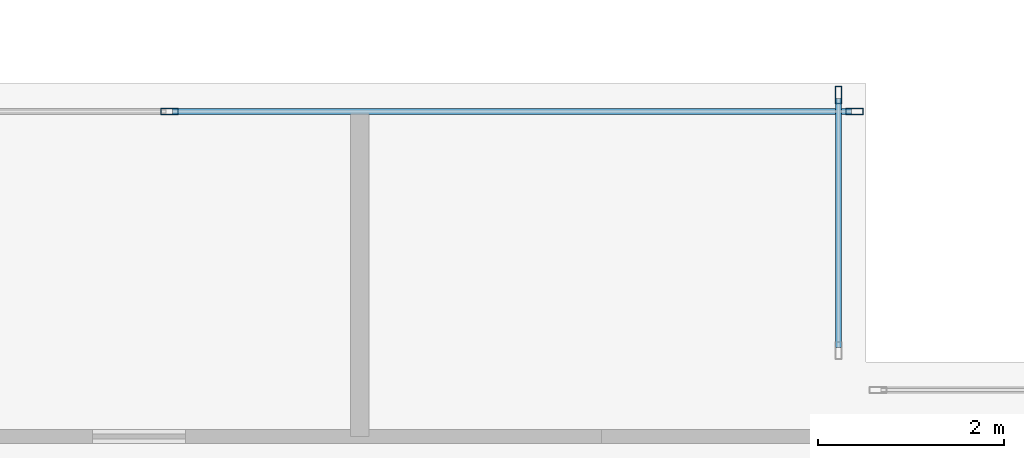
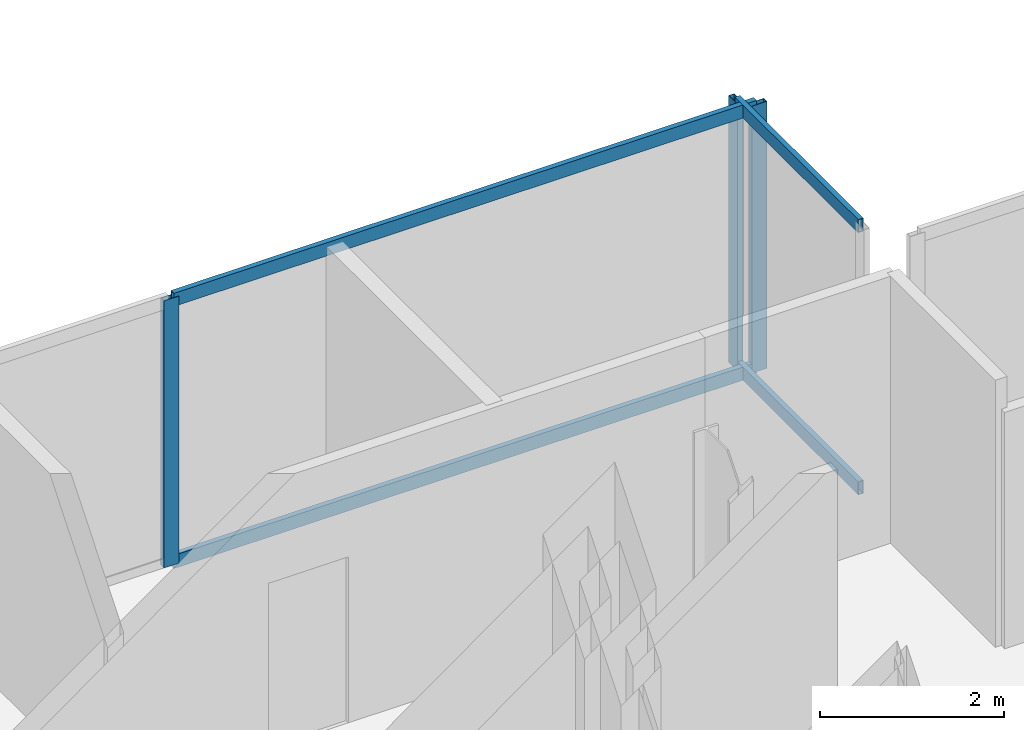
# One storey, part 13 of 25: 7 members, 2 elements without a shape of their own.
"""IFC4 building model written with IfcOpenShell, lengths in metres."""

import ifcopenshell
import ifcopenshell.guid

model = None  # the IFC model being written
_history = None  # IfcOwnerHistory: only IFC2X3 demands one
_inside = {}  # id of a spatial element -> (the spatial element, [elements in it])
_under = {}  # id of a project, library or spatial element -> (it, [spatial elements below it])
_declared = {}  # id of a project -> (the project, [libraries it declares])
_typed = {}  # id of a type object -> (the type object, [elements of that type])
_made_of = {}  # id of a material, layer set ... -> (it, [elements and type objects made of it])


def new_model(schema):
    """Start an empty IFC model of exactly this schema.

    Asked for "IFC4X3", IfcOpenShell would pick the latest addendum, in which some entities
    have other attributes; the version numbers below select the first issue.
    IFC2X3 requires an IfcOwnerHistory on every rooted entity: one is made here for all.
    """
    global model, _history
    if schema == "IFC4X3":
        model = ifcopenshell.file(schema_version=(4, 3, 0, 0))
    else:
        model = ifcopenshell.file(schema=schema)
    _inside.clear()
    _under.clear()
    _declared.clear()
    _typed.clear()
    _made_of.clear()
    _history = None
    if model.schema == "IFC2X3":
        org = make("IfcOrganization", Name="unknown")
        user = make(
            "IfcPersonAndOrganization",
            ThePerson=make("IfcPerson", FamilyName="unknown"),
            TheOrganization=org,
        )
        app = make(
            "IfcApplication",
            ApplicationDeveloper=org,
            Version="unknown",
            ApplicationFullName="unknown",
            ApplicationIdentifier="unknown",
        )
        _history = make(
            "IfcOwnerHistory",
            OwningUser=user,
            OwningApplication=app,
            ChangeAction="ADDED",
            CreationDate=0,
        )
    return model


def make(cls, **values):
    """One entity of the class cls with the attributes given. An attribute that is None is left unset."""
    return model.create_entity(
        cls, **{name: value for name, value in values.items() if value is not None}
    )


def rooted(cls, **values):
    """An entity with a GlobalId (a new one), such as an element, a storey or a relation."""
    return make(cls, GlobalId=ifcopenshell.guid.new(), OwnerHistory=_history, **values)


def si_unit(unit_type, name, prefix=None):
    """IfcSIUnit, for example si_unit("LENGTHUNIT", "METRE", prefix="MILLI")."""
    return make("IfcSIUnit", UnitType=unit_type, Prefix=prefix, Name=name)


def assignment(units):
    """IfcUnitAssignment: the units of a project."""
    return None if units is None else make("IfcUnitAssignment", Units=units)


def point(xyz):
    """IfcCartesianPoint."""
    return None if xyz is None else make("IfcCartesianPoint", Coordinates=xyz)


def direction(xyz):
    """IfcDirection."""
    return None if xyz is None else make("IfcDirection", DirectionRatios=xyz)


def frame(location, z_axis=None, x_axis=None):
    """IfcAxis2Placement3D, a coordinate frame: its origin and axes. An axis left out is left unset."""
    return make(
        "IfcAxis2Placement3D",
        Location=point(location),
        Axis=direction(z_axis),
        RefDirection=direction(x_axis),
    )


def frame_2d(location, x_axis=None):
    """IfcAxis2Placement2D, a coordinate frame in the plane: its origin and x axis."""
    return make(
        "IfcAxis2Placement2D", Location=point(location), RefDirection=direction(x_axis)
    )


def origin():
    """The frame at (0, 0, 0) with its axes left unset."""
    return frame((0.0, 0.0, 0.0))


def origin_2d():
    """The frame at (0, 0) in the plane with its x axis left unset."""
    return frame_2d((0.0, 0.0))


def place(relative_to, where):
    """IfcLocalPlacement: puts the frame where relative to a parent placement (None: the world)."""
    return make(
        "IfcLocalPlacement", PlacementRelTo=relative_to, RelativePlacement=where
    )


def context(
    kind, dimensions, precision=None, world=None, true_north=None, identifier=None
):
    """IfcGeometricRepresentationContext, for example the 3D "Model" context."""
    return make(
        "IfcGeometricRepresentationContext",
        ContextIdentifier=identifier,
        ContextType=kind,
        CoordinateSpaceDimension=dimensions,
        Precision=precision,
        WorldCoordinateSystem=world,
        TrueNorth=true_north,
    )


def subcontext(parent, identifier, kind, view, scale=None):
    """IfcGeometricRepresentationSubContext, for example "Body" below "Model"."""
    return make(
        "IfcGeometricRepresentationSubContext",
        ContextIdentifier=identifier,
        ContextType=kind,
        ParentContext=parent,
        TargetScale=scale,
        TargetView=view,
    )


def project(units=None, contexts=None):
    """IfcProject with its units and contexts."""
    return rooted(
        "IfcProject",
        Name="project",
        RepresentationContexts=contexts,
        UnitsInContext=assignment(units),
    )


def spatial(cls, under=None, at=None, **own):
    """A site, building, storey or space (cls), placed at a placement, below another one or the project."""
    s = rooted(cls, ObjectPlacement=at, **own)
    if under is not None:
        _under.setdefault(under.id(), (under, []))[1].append(s)
    return s


def profile(cls, at=None, kind="AREA", **sizes):
    """A parametric profile (cls). Its sizes go by their IFC names, for example OverallWidth=200.0."""
    return make(cls, ProfileType=kind, Position=at, **sizes)


def hollow_rectangle(**sizes):
    """IfcRectangleHollowProfileDef."""
    return profile("IfcRectangleHollowProfileDef", **sizes)


def extrude(swept, where, along, depth):
    """IfcExtrudedAreaSolid: the profile swept, set in the frame where, extruded along a direction by depth."""
    return make(
        "IfcExtrudedAreaSolid",
        SweptArea=swept,
        Position=where,
        ExtrudedDirection=direction(along),
        Depth=depth,
    )


def shape(context_of_items, identifier, shape_type, items):
    """IfcShapeRepresentation: the items that make up one representation, for example the "Body"."""
    return make(
        "IfcShapeRepresentation",
        ContextOfItems=context_of_items,
        RepresentationIdentifier=identifier,
        RepresentationType=shape_type,
        Items=items,
    )


def material(Name=None, Category=None):
    """IfcMaterial."""
    return make("IfcMaterial", Name=Name, Category=Category)


def layer(
    of_material, thickness, ventilated=None, Name=None, Category=None, Priority=None
):
    """IfcMaterialLayer: one layer of a wall or slab, of a material (None: an air gap)."""
    return make(
        "IfcMaterialLayer",
        Material=of_material,
        LayerThickness=thickness,
        IsVentilated=ventilated,
        Name=Name,
        Category=Category,
        Priority=Priority,
    )


def layer_set(layers, Name=None):
    """IfcMaterialLayerSet."""
    return make("IfcMaterialLayerSet", MaterialLayers=layers, LayerSetName=Name)


def material_profile(
    of_material, cross_section, Name=None, Category=None, Priority=None
):
    """IfcMaterialProfile: a cross section and its material."""
    return make(
        "IfcMaterialProfile",
        Name=Name,
        Material=of_material,
        Profile=cross_section,
        Priority=Priority,
        Category=Category,
    )


def profile_set(profiles, Name=None, composite=None):
    """IfcMaterialProfileSet."""
    return make(
        "IfcMaterialProfileSet",
        Name=Name,
        MaterialProfiles=profiles,
        CompositeProfile=composite,
    )


def made_of(thing, what):
    """Note that an element or type object is made of a material, layer set ...; save() writes the relation."""
    if what is not None:
        _made_of.setdefault(what.id(), (what, []))[1].append(thing)
    return thing


def type_object(cls, material=None, **own):
    """A type object (cls), such as IfcWallType, which elements share."""
    return made_of(rooted(cls, **own), material)


def element(
    cls,
    number,
    at=None,
    inside=None,
    cuts=None,
    type_object=None,
    material=None,
    context=None,
    identifier="Body",
    shape_type=None,
    held_by="IfcProductDefinitionShape",
    body=None,
    shapes=None,
    **own,
):
    """One element of the class cls, such as IfcWall. Its Tag is "e" and its number.

    at: its placement. inside: the storey or other place that contains it. cuts: it is an
    opening in that element (IfcRelVoidsElement). A single representation is given by context,
    identifier, shape_type and body (its items); several are given by shapes. held_by: the class
    of the entity that holds the representations. save() writes the other relations.
    """
    e = rooted(cls, Tag="e%d" % number, ObjectPlacement=at, **own)
    if body is not None:
        shapes = [shape(context, identifier, shape_type, body)]
    if shapes is not None:
        e.Representation = make(held_by, Representations=shapes)
    if inside is not None:
        _inside.setdefault(inside.id(), (inside, []))[1].append(e)
    if cuts is not None:
        rooted(
            "IfcRelVoidsElement", RelatingBuildingElement=cuts, RelatedOpeningElement=e
        )
    if type_object is not None:
        _typed.setdefault(type_object.id(), (type_object, []))[1].append(e)
    return made_of(e, material)


def aggregate(whole, parts):
    """IfcRelAggregates: a whole, such as a stair, and the parts it consists of."""
    return rooted("IfcRelAggregates", RelatingObject=whole, RelatedObjects=parts)


def save(model, path):
    """Write the relations noted so far, then the file.

    IfcRelAggregates (storeys below a building ...), IfcRelContainedInSpatialStructure (elements
    in a storey), IfcRelDefinesByType, IfcRelAssociatesMaterial and IfcRelDeclares: one each for
    every whole, place, type object, material and project.
    """
    for whole, parts in _under.values():
        aggregate(whole, parts)
    for where, things in _inside.values():
        rooted(
            "IfcRelContainedInSpatialStructure",
            RelatedElements=things,
            RelatingStructure=where,
        )
    for kind, things in _typed.values():
        rooted("IfcRelDefinesByType", RelatedObjects=things, RelatingType=kind)
    for what, things in _made_of.values():
        rooted("IfcRelAssociatesMaterial", RelatedObjects=things, RelatingMaterial=what)
    for by, libraries in _declared.values():
        rooted("IfcRelDeclares", RelatingContext=by, RelatedDefinitions=libraries)
    model.write(path)


model = new_model("IFC4")

# Units and contexts
model_context = context("Model", 3, precision=1e-05, world=origin(), true_north=direction((0.0, 1.0)))
body_context = subcontext(model_context, "Body", "Model", "MODEL_VIEW")
ifc_project = project(units=[si_unit("LENGTHUNIT", "METRE"), si_unit("AREAUNIT", "SQUARE_METRE"), si_unit("VOLUMEUNIT", "CUBIC_METRE"), si_unit("PLANEANGLEUNIT", "RADIAN"), si_unit("MASSUNIT", "GRAM", prefix="KILO"), si_unit("THERMODYNAMICTEMPERATUREUNIT", "KELVIN"), si_unit("POWERUNIT", "WATT")], contexts=[model_context])

# Site, building, storey
site_placement = place(None, origin())
site = spatial("IfcSite", under=ifc_project, at=site_placement, CompositionType="ELEMENT")
building_placement = place(site_placement, origin())
building = spatial("IfcBuilding", under=site, at=building_placement, Name="Svarakhadi Broadcast Tower", CompositionType="ELEMENT")
storey_placement = place(building_placement, frame((0.0, 0.0, 227.39990234375)))
storey = spatial("IfcBuildingStorey", under=building, at=storey_placement, Name="L56", CompositionType="ELEMENT", Elevation=227.39990234375)

# Curtain wall, members
ifc_material = material(Name="Anodised Bronze Aluminium AA 6063-T6", Category="aluminium")
ifc_layer = layer(ifc_material, 0.18994140625)
ifc_layer_set = layer_set([ifc_layer], Name="Anodised Bronze Aluminium AA 6063-T6")
curtain_wall_type = type_object("IfcCurtainWallType", Name="CW_Sys_04", PredefinedType="NOTDEFINED", material=ifc_layer_set)
curtain_wall_1_placement = place(storey_placement, origin())
curtain_wall_1 = element("IfcCurtainWall", 1, at=curtain_wall_1_placement, inside=storey, type_object=curtain_wall_type, Name="L56 Unitised Facade Curtain Wall 10", PredefinedType="NOTDEFINED")
ifc_material_profile_1 = material_profile(ifc_material, hollow_rectangle(XDim=0.070068359375, YDim=0.18994140625, WallThickness=0.005615234375, at=origin_2d()), Name="ALU MULLION 190x70x6")
ifc_profile_set_1 = profile_set([ifc_material_profile_1], Name="Anodised Bronze Aluminium AA 6063-T6")
member_type_1 = type_object("IfcMemberType", Name="CW_Sys_04_Mul", PredefinedType="MULLION", material=ifc_profile_set_1)
member_1_placement = place(storey_placement, frame((31.5, 23.699951171875, 0.0), z_axis=(0.0, 0.0, 1.0), x_axis=(0.0, 1.0, 0.0)))
member_1 = element("IfcMember", 2, at=member_1_placement, type_object=member_type_1, Name="CW-04 mullion 2", PredefinedType="MULLION", context=body_context, shape_type="SweptSolid", body=[
    extrude(hollow_rectangle(XDim=0.070068359375, YDim=0.18994140625, WallThickness=0.005615234375, at=origin_2d()), origin(), (0.0, 0.0, 1.0), 3.5400390625),
])
member_2_placement = place(storey_placement, frame((38.875, 23.699951171875, 0.0), z_axis=(0.0, 0.0, 1.0), x_axis=(0.0, 1.0, 0.0)))
member_2 = element("IfcMember", 3, at=member_2_placement, type_object=member_type_1, Name="CW-04 mullion 3", PredefinedType="MULLION", context=body_context, shape_type="SweptSolid", body=[
    extrude(hollow_rectangle(XDim=0.070068359375, YDim=0.18994140625, WallThickness=0.005615234375, at=origin_2d()), origin(), (0.0, 0.0, 1.0), 3.5400390625),
])

# Curtain wall, member
curtain_wall_2_placement = place(storey_placement, origin())
curtain_wall_2 = element("IfcCurtainWall", 4, at=curtain_wall_2_placement, inside=storey, type_object=curtain_wall_type, Name="L56 Unitised Facade Curtain Wall 11", PredefinedType="NOTDEFINED")
member_3_placement = place(storey_placement, frame((38.699951171875, 23.875, 0.0), z_axis=(0.0, 0.0, 1.0), x_axis=(1.0, 0.0, 0.0)))
member_3 = element("IfcMember", 5, at=member_3_placement, type_object=member_type_1, Name="CW-04 mullion 1", PredefinedType="MULLION", context=body_context, shape_type="SweptSolid", body=[
    extrude(hollow_rectangle(XDim=0.070068359375, YDim=0.18994140625, WallThickness=0.005615234375, at=origin_2d()), origin(), (0.0, 0.0, 1.0), 3.5400390625),
])

# Member
ifc_material_profile_2 = material_profile(ifc_material, hollow_rectangle(XDim=0.06494140625, YDim=0.175048828125, WallThickness=0.0048828125, at=origin_2d()), Name="ALU TRANSOM 175x65x5")
ifc_profile_set_2 = profile_set([ifc_material_profile_2], Name="Anodised Bronze Aluminium AA 6063-T6")
member_type_2 = type_object("IfcMemberType", Name="CW_Sys_04_Trn", PredefinedType="USERDEFINED", material=ifc_profile_set_2)
member_4_placement = place(storey_placement, frame((31.534912109375, 23.699951171875, 0.03271484375), z_axis=(1.0, 0.0, 0.0), x_axis=(0.0, 1.0, 0.0)))
member_4 = element("IfcMember", 6, at=member_4_placement, type_object=member_type_2, Name="CW-04 transom 2.1", ObjectType="TRANSOM", PredefinedType="USERDEFINED", context=body_context, shape_type="SweptSolid", body=[
    extrude(hollow_rectangle(XDim=0.06494140625, YDim=0.175048828125, WallThickness=0.0048828125, at=origin_2d()), origin(), (0.0, 0.0, 1.0), 7.30517578125),
])

member_5_placement = place(storey_placement, frame((31.534912109375, 23.699951171875, 3.507568359375), z_axis=(1.0, 0.0, 0.0), x_axis=(0.0, 1.0, 0.0)))
member_5 = element("IfcMember", 7, at=member_5_placement, type_object=member_type_2, Name="CW-04 transom 2.2", ObjectType="TRANSOM", PredefinedType="USERDEFINED", context=body_context, shape_type="SweptSolid", body=[
    extrude(hollow_rectangle(XDim=0.06494140625, YDim=0.175048828125, WallThickness=0.0048828125, at=origin_2d()), origin(), (0.0, 0.0, 1.0), 7.30517578125),
])

aggregate(curtain_wall_1, [member_1, member_2, member_4, member_5])

member_6_placement = place(storey_placement, frame((38.699951171875, 23.840087890625, 0.03271484375), z_axis=(0.0, -1.0, 0.0), x_axis=(1.0, 0.0, 0.0)))
member_6 = element("IfcMember", 8, at=member_6_placement, type_object=member_type_2, Name="CW-04 transom 1.1", ObjectType="TRANSOM", PredefinedType="USERDEFINED", context=body_context, shape_type="SweptSolid", body=[
    extrude(hollow_rectangle(XDim=0.06494140625, YDim=0.175048828125, WallThickness=0.0048828125, at=origin_2d()), origin(), (0.0, 0.0, 1.0), 2.68017578125),
])

member_7_placement = place(storey_placement, frame((38.699951171875, 23.840087890625, 3.507568359375), z_axis=(0.0, -1.0, 0.0), x_axis=(1.0, 0.0, 0.0)))
member_7 = element("IfcMember", 9, at=member_7_placement, type_object=member_type_2, Name="CW-04 transom 1.2", ObjectType="TRANSOM", PredefinedType="USERDEFINED", context=body_context, shape_type="SweptSolid", body=[
    extrude(hollow_rectangle(XDim=0.06494140625, YDim=0.175048828125, WallThickness=0.0048828125, at=origin_2d()), origin(), (0.0, 0.0, 1.0), 2.68017578125),
])

aggregate(curtain_wall_2, [member_3, member_6, member_7])

save(model, "model.ifc")
